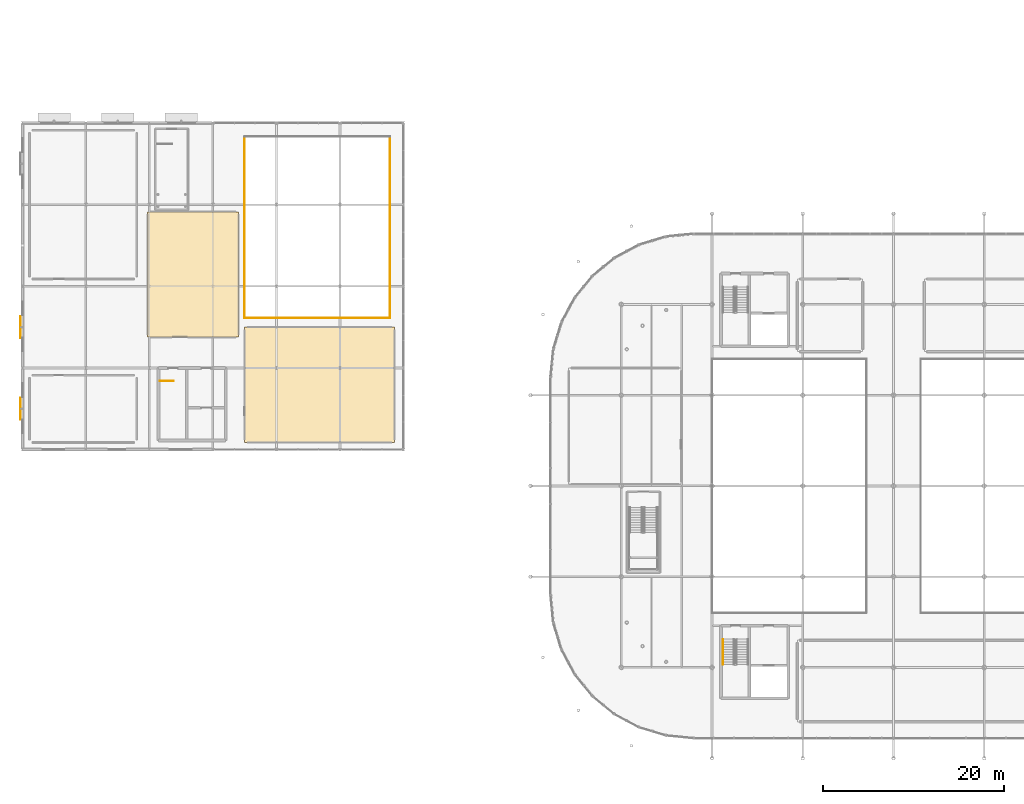
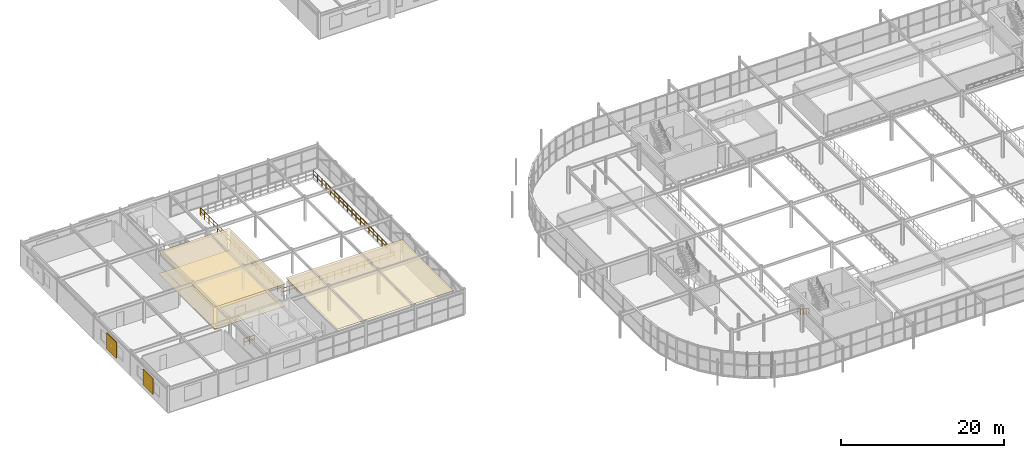
# One storey, part 88 of 98: 5 railings, 3 coverings, 2 shading devices.
"""IFC4 building model written with IfcOpenShell, lengths in metres."""

from ifc_helpers import new_model, si_unit, derived_unit, direction, frame, origin, origin_2d_with_axis, place, context, subcontext, project, spatial, polyline, rectangle, circle, outline, extrude, material, layer, layer_set, type_object, element, save


model = new_model("IFC4")

# Units and contexts
model_context = context("Model", 3, precision=1e-05, world=origin(), true_north=direction((0.0, 1.0)))
body_context = subcontext(model_context, "Body", "Model", "MODEL_VIEW")
ifc_project = project(units=[si_unit("LENGTHUNIT", "METRE"), si_unit("AREAUNIT", "SQUARE_METRE"), si_unit("VOLUMEUNIT", "CUBIC_METRE"), si_unit("PLANEANGLEUNIT", "RADIAN"), si_unit("MASSUNIT", "GRAM", prefix="KILO"), derived_unit("THERMALTRANSMITTANCEUNIT", [(si_unit("POWERUNIT", "WATT"), 1), (si_unit("LENGTHUNIT", "METRE"), -2), (si_unit("THERMODYNAMICTEMPERATUREUNIT", "KELVIN"), -1)])], contexts=[model_context])

# Site, building, storey
site_placement = place(None, origin())
site = spatial("IfcSite", under=ifc_project, at=site_placement, CompositionType="ELEMENT")
building_placement = place(site_placement, origin())
building = spatial("IfcBuilding", under=site, at=building_placement, Name="Cinnabar Yard Market Hall", CompositionType="ELEMENT")
storey_placement = place(building_placement, frame((0.0, 0.0, 4.5)))
storey = spatial("IfcBuildingStorey", under=building, at=storey_placement, Name="L01", CompositionType="ELEMENT", Elevation=4.5)

# Coverings
ifc_material_1 = material(Name="Perforated acoustic spotted-gum timber slats", Category="wood")
ifc_layer_1 = layer(ifc_material_1, 0.0400390625)
ifc_layer_set_1 = layer_set([ifc_layer_1], Name="Perforated acoustic spotted-gum timber slats")
covering_type_1 = type_object("IfcCoveringType", Name="COV-CLG1", PredefinedType="CEILING", material=ifc_layer_set_1)
covering_1_placement = place(storey_placement, frame((0.0, 0.0, 3.2900390625)))
element("IfcCovering", 1, at=covering_1_placement, inside=storey, type_object=covering_type_1, Name="Ceiling Food Court Upper Mezzanine Dining", PredefinedType="CEILING", context=body_context, shape_type="SweptSolid", body=[
    extrude(outline(polyline([(23.800048828125, 60.39990234375), (33.800048828125, 60.39990234375), (33.800048828125, 74.199951171875), (23.800048828125, 74.199951171875), (23.800048828125, 60.39990234375)])), origin(), (0.0, 0.0, 1.0), 0.034912109375),
])
covering_2_placement = place(storey_placement, frame((0.0, 0.0, 3.2900390625)))
element("IfcCovering", 2, at=covering_2_placement, inside=storey, type_object=covering_type_1, Name="Ceiling Cardamom Tea Salon and Lounge", PredefinedType="CEILING", context=body_context, shape_type="SweptSolid", body=[
    extrude(outline(polyline([(34.5, 48.800048828125), (51.0, 48.800048828125), (51.0, 61.5), (34.5, 61.5), (34.5, 48.800048828125)])), origin(), (0.0, 0.0, 1.0), 0.034912109375),
])
ifc_material_2 = material(Name="Honed Adelaide red terrazzo flooring")
ifc_layer_2 = layer(ifc_material_2, 0.030029296875)
ifc_layer_set_2 = layer_set([ifc_layer_2], Name="Honed Adelaide red terrazzo flooring")
covering_type_2 = type_object("IfcCoveringType", Name="COV-FLR1", PredefinedType="FLOORING", material=ifc_layer_set_2)
covering_3_placement = place(storey_placement, origin())
element("IfcCovering", 3, at=covering_3_placement, inside=storey, type_object=covering_type_2, Name="Flooring Food Court Upper Mezzanine Dining", PredefinedType="FLOORING", context=body_context, shape_type="SweptSolid", body=[
    extrude(outline(polyline([(23.800048828125, 60.39990234375), (33.800048828125, 60.39990234375), (33.800048828125, 74.199951171875), (23.800048828125, 74.199951171875), (23.800048828125, 60.39990234375)])), origin(), (0.0, 0.0, 1.0), 0.02490234375),
])

# Railings
ifc_material_3 = material(Name="Laminated glass and bronze handrail", Category="glass")
ifc_layer_3 = layer(ifc_material_3, 0.070068359375)
ifc_layer_set_3 = layer_set([ifc_layer_3], Name="Laminated glass and bronze handrail")
railing_type_1 = type_object("IfcRailingType", Name="RL-G01", PredefinedType="BALUSTRADE", material=ifc_layer_set_3)
railing_1_placement = place(storey_placement, frame((34.5, 62.5, 0.0)))
element("IfcRailing", 4, at=railing_1_placement, inside=storey, type_object=railing_type_1, Name="Food Court Void Balustrade 1", PredefinedType="BALUSTRADE", context=body_context, shape_type="SweptSolid", body=[
    extrude(circle(Radius=0.02392578125, at=origin_2d_with_axis()), frame((0.0, 0.0, 1.09619140625), z_axis=(1.0, 0.0, 0.0), x_axis=(0.0, 1.0, 0.0)), (0.0, 0.0, 1.0), 16.0),
    extrude(circle(Radius=0.02392578125, at=origin_2d_with_axis()), frame((0.0, 0.0, 0.550048828125), z_axis=(1.0, 0.0, 0.0), x_axis=(0.0, 1.0, 0.0)), (0.0, 0.0, 1.0), 16.0),
    extrude(circle(Radius=0.02099609375, at=origin_2d_with_axis()), origin(), (0.0, 0.0, 1.0), 1.072021484375),
    extrude(circle(Radius=0.02099609375, at=origin_2d_with_axis()), frame((1.066650390625, 0.0, 0.0)), (0.0, 0.0, 1.0), 1.072021484375),
    extrude(circle(Radius=0.02099609375, at=origin_2d_with_axis()), frame((2.13330078125, 0.0, 0.0)), (0.0, 0.0, 1.0), 1.072021484375),
    extrude(circle(Radius=0.02099609375, at=origin_2d_with_axis()), frame((3.199951171875, 0.0, 0.0)), (0.0, 0.0, 1.0), 1.072021484375),
    extrude(circle(Radius=0.02099609375, at=origin_2d_with_axis()), frame((4.2666015625, 0.0, 0.0)), (0.0, 0.0, 1.0), 1.072021484375),
    extrude(circle(Radius=0.02099609375, at=origin_2d_with_axis()), frame((5.333251953125, 0.0, 0.0)), (0.0, 0.0, 1.0), 1.072021484375),
    extrude(circle(Radius=0.02099609375, at=origin_2d_with_axis()), frame((6.39990234375, 0.0, 0.0)), (0.0, 0.0, 1.0), 1.072021484375),
    extrude(circle(Radius=0.02099609375, at=origin_2d_with_axis()), frame((7.466552734375, 0.0, 0.0)), (0.0, 0.0, 1.0), 1.072021484375),
    extrude(circle(Radius=0.02099609375, at=origin_2d_with_axis()), frame((8.533447265625, 0.0, 0.0)), (0.0, 0.0, 1.0), 1.072021484375),
    extrude(circle(Radius=0.02099609375, at=origin_2d_with_axis()), frame((9.60009765625, 0.0, 0.0)), (0.0, 0.0, 1.0), 1.072021484375),
    extrude(circle(Radius=0.02099609375, at=origin_2d_with_axis()), frame((10.666748046875, 0.0, 0.0)), (0.0, 0.0, 1.0), 1.072021484375),
    extrude(circle(Radius=0.02099609375, at=origin_2d_with_axis()), frame((11.7333984375, 0.0, 0.0)), (0.0, 0.0, 1.0), 1.072021484375),
    extrude(circle(Radius=0.02099609375, at=origin_2d_with_axis()), frame((12.800048828125, 0.0, 0.0)), (0.0, 0.0, 1.0), 1.072021484375),
    extrude(circle(Radius=0.02099609375, at=origin_2d_with_axis()), frame((13.86669921875, 0.0, 0.0)), (0.0, 0.0, 1.0), 1.072021484375),
    extrude(circle(Radius=0.02099609375, at=origin_2d_with_axis()), frame((14.933349609375, 0.0, 0.0)), (0.0, 0.0, 1.0), 1.072021484375),
    extrude(circle(Radius=0.02099609375, at=origin_2d_with_axis()), frame((16.0, 0.0, 0.0)), (0.0, 0.0, 1.0), 1.072021484375),
])
railing_2_placement = place(storey_placement, frame((50.5, 62.5, 0.0)))
element("IfcRailing", 5, at=railing_2_placement, inside=storey, type_object=railing_type_1, Name="Food Court Void Balustrade 2", PredefinedType="BALUSTRADE", context=body_context, shape_type="SweptSolid", body=[
    extrude(circle(Radius=0.02392578125, at=origin_2d_with_axis()), frame((0.0, 0.0, 1.09619140625), z_axis=(0.0, 1.0, 0.0), x_axis=(-1.0, 0.0, 0.0)), (0.0, 0.0, 1.0), 20.0),
    extrude(circle(Radius=0.02392578125, at=origin_2d_with_axis()), frame((0.0, 0.0, 0.550048828125), z_axis=(0.0, 1.0, 0.0), x_axis=(-1.0, 0.0, 0.0)), (0.0, 0.0, 1.0), 20.0),
    extrude(circle(Radius=0.02099609375, at=origin_2d_with_axis()), origin(), (0.0, 0.0, 1.0), 1.072021484375),
    extrude(circle(Radius=0.02099609375, at=origin_2d_with_axis()), frame((0.0, 1.052734375, 0.0)), (0.0, 0.0, 1.0), 1.072021484375),
    extrude(circle(Radius=0.02099609375, at=origin_2d_with_axis()), frame((0.0, 2.105224609375, 0.0)), (0.0, 0.0, 1.0), 1.072021484375),
    extrude(circle(Radius=0.02099609375, at=origin_2d_with_axis()), frame((0.0, 3.157958984375, 0.0)), (0.0, 0.0, 1.0), 1.072021484375),
    extrude(circle(Radius=0.02099609375, at=origin_2d_with_axis()), frame((0.0, 4.21044921875, 0.0)), (0.0, 0.0, 1.0), 1.072021484375),
    extrude(circle(Radius=0.02099609375, at=origin_2d_with_axis()), frame((0.0, 5.26318359375, 0.0)), (0.0, 0.0, 1.0), 1.072021484375),
    extrude(circle(Radius=0.02099609375, at=origin_2d_with_axis()), frame((0.0, 6.315673828125, 0.0)), (0.0, 0.0, 1.0), 1.072021484375),
    extrude(circle(Radius=0.02099609375, at=origin_2d_with_axis()), frame((0.0, 7.368408203125, 0.0)), (0.0, 0.0, 1.0), 1.072021484375),
    extrude(circle(Radius=0.02099609375, at=origin_2d_with_axis()), frame((0.0, 8.421142578125, 0.0)), (0.0, 0.0, 1.0), 1.072021484375),
    extrude(circle(Radius=0.02099609375, at=origin_2d_with_axis()), frame((0.0, 9.4736328125, 0.0)), (0.0, 0.0, 1.0), 1.072021484375),
    extrude(circle(Radius=0.02099609375, at=origin_2d_with_axis()), frame((0.0, 10.5263671875, 0.0)), (0.0, 0.0, 1.0), 1.072021484375),
    extrude(circle(Radius=0.02099609375, at=origin_2d_with_axis()), frame((0.0, 11.578857421875, 0.0)), (0.0, 0.0, 1.0), 1.072021484375),
    extrude(circle(Radius=0.02099609375, at=origin_2d_with_axis()), frame((0.0, 12.631591796875, 0.0)), (0.0, 0.0, 1.0), 1.072021484375),
    extrude(circle(Radius=0.02099609375, at=origin_2d_with_axis()), frame((0.0, 13.684326171875, 0.0)), (0.0, 0.0, 1.0), 1.072021484375),
    extrude(circle(Radius=0.02099609375, at=origin_2d_with_axis()), frame((0.0, 14.73681640625, 0.0)), (0.0, 0.0, 1.0), 1.072021484375),
    extrude(circle(Radius=0.02099609375, at=origin_2d_with_axis()), frame((0.0, 15.78955078125, 0.0)), (0.0, 0.0, 1.0), 1.072021484375),
    extrude(circle(Radius=0.02099609375, at=origin_2d_with_axis()), frame((0.0, 16.842041015625, 0.0)), (0.0, 0.0, 1.0), 1.072021484375),
    extrude(circle(Radius=0.02099609375, at=origin_2d_with_axis()), frame((0.0, 17.894775390625, 0.0)), (0.0, 0.0, 1.0), 1.072021484375),
    extrude(circle(Radius=0.02099609375, at=origin_2d_with_axis()), frame((0.0, 18.947265625, 0.0)), (0.0, 0.0, 1.0), 1.072021484375),
    extrude(circle(Radius=0.02099609375, at=origin_2d_with_axis()), frame((0.0, 20.0, 0.0)), (0.0, 0.0, 1.0), 1.072021484375),
])
railing_3_placement = place(storey_placement, frame((34.5, 82.5, 0.0)))
element("IfcRailing", 6, at=railing_3_placement, inside=storey, type_object=railing_type_1, Name="Food Court Void Balustrade 4", PredefinedType="BALUSTRADE", context=body_context, shape_type="SweptSolid", body=[
    extrude(circle(Radius=0.02392578125, at=origin_2d_with_axis()), frame((0.0, 0.0, 1.09619140625), z_axis=(0.0, -1.0, 0.0), x_axis=(1.0, 0.0, 0.0)), (0.0, 0.0, 1.0), 20.0),
    extrude(circle(Radius=0.02392578125, at=origin_2d_with_axis()), frame((0.0, 0.0, 0.550048828125), z_axis=(0.0, -1.0, 0.0), x_axis=(1.0, 0.0, 0.0)), (0.0, 0.0, 1.0), 20.0),
    extrude(circle(Radius=0.02099609375, at=origin_2d_with_axis()), origin(), (0.0, 0.0, 1.0), 1.072021484375),
    extrude(circle(Radius=0.02099609375, at=origin_2d_with_axis()), frame((0.0, -1.052734375, 0.0)), (0.0, 0.0, 1.0), 1.072021484375),
    extrude(circle(Radius=0.02099609375, at=origin_2d_with_axis()), frame((0.0, -2.105224609375, 0.0)), (0.0, 0.0, 1.0), 1.072021484375),
    extrude(circle(Radius=0.02099609375, at=origin_2d_with_axis()), frame((0.0, -3.157958984375, 0.0)), (0.0, 0.0, 1.0), 1.072021484375),
    extrude(circle(Radius=0.02099609375, at=origin_2d_with_axis()), frame((0.0, -4.21044921875, 0.0)), (0.0, 0.0, 1.0), 1.072021484375),
    extrude(circle(Radius=0.02099609375, at=origin_2d_with_axis()), frame((0.0, -5.26318359375, 0.0)), (0.0, 0.0, 1.0), 1.072021484375),
    extrude(circle(Radius=0.02099609375, at=origin_2d_with_axis()), frame((0.0, -6.315673828125, 0.0)), (0.0, 0.0, 1.0), 1.072021484375),
    extrude(circle(Radius=0.02099609375, at=origin_2d_with_axis()), frame((0.0, -7.368408203125, 0.0)), (0.0, 0.0, 1.0), 1.072021484375),
    extrude(circle(Radius=0.02099609375, at=origin_2d_with_axis()), frame((0.0, -8.421142578125, 0.0)), (0.0, 0.0, 1.0), 1.072021484375),
    extrude(circle(Radius=0.02099609375, at=origin_2d_with_axis()), frame((0.0, -9.4736328125, 0.0)), (0.0, 0.0, 1.0), 1.072021484375),
    extrude(circle(Radius=0.02099609375, at=origin_2d_with_axis()), frame((0.0, -10.5263671875, 0.0)), (0.0, 0.0, 1.0), 1.072021484375),
    extrude(circle(Radius=0.02099609375, at=origin_2d_with_axis()), frame((0.0, -11.578857421875, 0.0)), (0.0, 0.0, 1.0), 1.072021484375),
    extrude(circle(Radius=0.02099609375, at=origin_2d_with_axis()), frame((0.0, -12.631591796875, 0.0)), (0.0, 0.0, 1.0), 1.072021484375),
    extrude(circle(Radius=0.02099609375, at=origin_2d_with_axis()), frame((0.0, -13.684326171875, 0.0)), (0.0, 0.0, 1.0), 1.072021484375),
    extrude(circle(Radius=0.02099609375, at=origin_2d_with_axis()), frame((0.0, -14.73681640625, 0.0)), (0.0, 0.0, 1.0), 1.072021484375),
    extrude(circle(Radius=0.02099609375, at=origin_2d_with_axis()), frame((0.0, -15.78955078125, 0.0)), (0.0, 0.0, 1.0), 1.072021484375),
    extrude(circle(Radius=0.02099609375, at=origin_2d_with_axis()), frame((0.0, -16.842041015625, 0.0)), (0.0, 0.0, 1.0), 1.072021484375),
    extrude(circle(Radius=0.02099609375, at=origin_2d_with_axis()), frame((0.0, -17.894775390625, 0.0)), (0.0, 0.0, 1.0), 1.072021484375),
    extrude(circle(Radius=0.02099609375, at=origin_2d_with_axis()), frame((0.0, -18.947265625, 0.0)), (0.0, 0.0, 1.0), 1.072021484375),
    extrude(circle(Radius=0.02099609375, at=origin_2d_with_axis()), frame((0.0, -20.0, 0.0)), (0.0, 0.0, 1.0), 1.072021484375),
])
ifc_material_4 = material(Name="Galvanised steel Grade 300 (300 MPa) guardrail", Category="steel")
ifc_layer_4 = layer(ifc_material_4, 0.06005859375)
ifc_layer_set_4 = layer_set([ifc_layer_4], Name="Galvanised steel Grade 300 (300 MPa) guardrail")
railing_type_2 = type_object("IfcRailingType", Name="RL-G03", PredefinedType="GUARDRAIL", material=ifc_layer_set_4)
railing_4_placement = place(storey_placement, frame((25.139892578125, 55.56005859375, 0.0)))
element("IfcRailing", 7, at=railing_4_placement, inside=storey, type_object=railing_type_2, Name="L01 ST-C4 top well guard 1", PredefinedType="GUARDRAIL", context=body_context, shape_type="SweptSolid", body=[
    extrude(circle(Radius=0.02392578125, at=origin_2d_with_axis()), frame((0.0, 0.0, 1.09619140625), z_axis=(1.0, 0.0, 0.0), x_axis=(0.0, 1.0, 0.0)), (0.0, 0.0, 1.0), 1.510009765625),
    extrude(circle(Radius=0.02392578125, at=origin_2d_with_axis()), frame((0.0, 0.0, 0.550048828125), z_axis=(1.0, 0.0, 0.0), x_axis=(0.0, 1.0, 0.0)), (0.0, 0.0, 1.0), 1.510009765625),
    extrude(circle(Radius=0.02099609375, at=origin_2d_with_axis()), origin(), (0.0, 0.0, 1.0), 1.072021484375),
    extrude(circle(Radius=0.02099609375, at=origin_2d_with_axis()), frame((0.7548828125, 0.0, 0.0)), (0.0, 0.0, 1.0), 1.072021484375),
    extrude(circle(Radius=0.02099609375, at=origin_2d_with_axis()), frame((1.510009765625, 0.0, 0.0)), (0.0, 0.0, 1.0), 1.072021484375),
])
ifc_material_5 = material(Name="Brushed stainless steel handrail", Category="steel")
ifc_layer_5 = layer(ifc_material_5, 0.050048828125)
ifc_layer_set_5 = layer_set([ifc_layer_5], Name="Brushed stainless steel handrail")
railing_type_3 = type_object("IfcRailingType", Name="RL-HR1", PredefinedType="HANDRAIL", material=ifc_layer_set_5)
railing_5_placement = place(storey_placement, frame((87.18994140625, 27.110107421875, 0.17724609375)))
element("IfcRailing", 8, at=railing_5_placement, inside=storey, type_object=railing_type_3, Name="L01 ST-C1 stair handrail 1", PredefinedType="HANDRAIL", context=body_context, shape_type="SweptSolid", body=[
    extrude(circle(Radius=0.02392578125, at=origin_2d_with_axis()), frame((0.0, 0.0, 0.8759765625), z_axis=(0.0, -0.844908973607, 0.534910110503), x_axis=(1.0, 0.0, 0.0)), (0.0, 0.0, 1.0), 3.31396484375),
    extrude(circle(Radius=0.02099609375, at=origin_2d_with_axis()), origin(), (0.0, 0.0, 1.0), 0.851806640625),
    extrude(circle(Radius=0.02099609375, at=origin_2d_with_axis()), frame((0.0, -0.699951171875, 0.443115234375)), (0.0, 0.0, 1.0), 0.851806640625),
    extrude(circle(Radius=0.02099609375, at=origin_2d_with_axis()), frame((0.0, -1.39990234375, 0.88623046875)), (0.0, 0.0, 1.0), 0.851806640625),
    extrude(circle(Radius=0.02099609375, at=origin_2d_with_axis()), frame((0.0, -2.10009765625, 1.32958984375)), (0.0, 0.0, 1.0), 0.851806640625),
    extrude(circle(Radius=0.02099609375, at=origin_2d_with_axis()), frame((0.0, -2.800048828125, 1.772705078125)), (0.0, 0.0, 1.0), 0.851806640625),
])

# Shading devices
ifc_material_6 = material(Name="Perforated red-anodised aluminium jali screen", Category="aluminium")
shading_device_type = type_object("IfcShadingDeviceType", Name="SHD-JALI2", PredefinedType="JALOUSIE", material=ifc_material_6)
for number, where, z_axis, x_axis, name in (
    (9, (9.800048828125, 52.5, 0.650146484375), (0.0, 0.0, 1.0), (1.0, 0.0, 0.0), "Pavilion West Jali Screen L01-1"),
    (10, (9.800048828125, 61.5, 0.650146484375), (0.0, 0.0, 1.0), (1.0, 0.0, 0.0), "Pavilion West Jali Screen L01-2"),
):
    element("IfcShadingDevice", number, at=place(storey_placement, frame(where, z_axis=z_axis, x_axis=x_axis)), inside=storey, type_object=shading_device_type, Name=name, PredefinedType="JALOUSIE", context=body_context, shape_type="SweptSolid", body=[
        extrude(rectangle(XDim=0.080078125, YDim=2.39990234375, at=origin_2d_with_axis()), origin(), (0.0, 0.0, 1.0), 2.39990234375),
    ])

save(model, "model.ifc")
